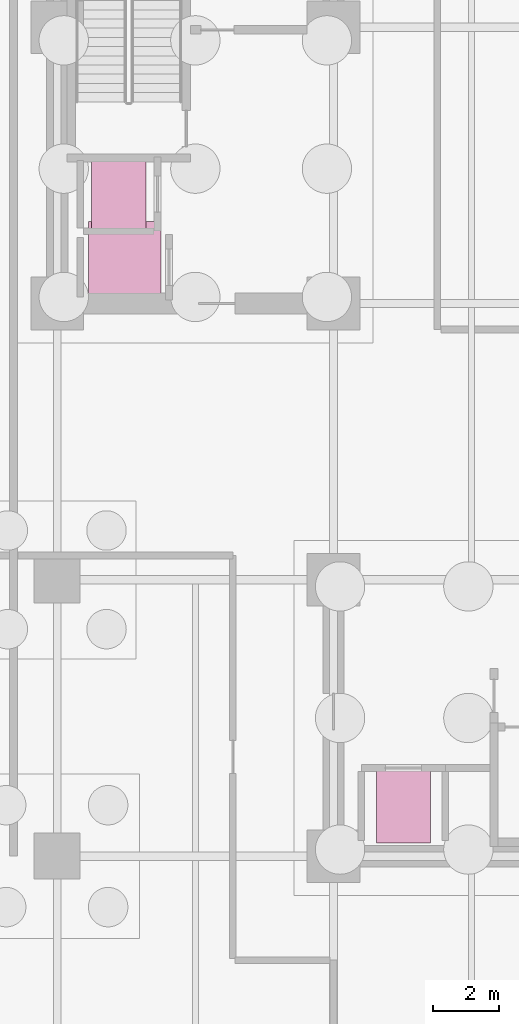
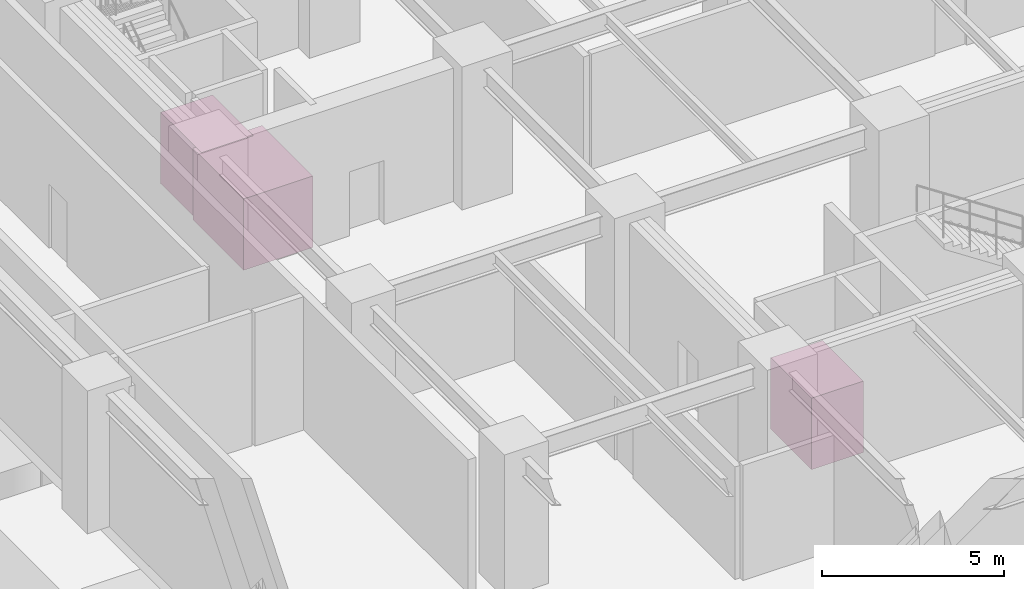
# One storey, part 9 of 9: 3 transport elements.
"""IFC4 building model written with IfcOpenShell, lengths in metres."""

import ifcopenshell
import ifcopenshell.guid

model = None  # the IFC model being written
_history = None  # IfcOwnerHistory: only IFC2X3 demands one
_inside = {}  # id of a spatial element -> (the spatial element, [elements in it])
_under = {}  # id of a project, library or spatial element -> (it, [spatial elements below it])
_declared = {}  # id of a project -> (the project, [libraries it declares])
_typed = {}  # id of a type object -> (the type object, [elements of that type])
_made_of = {}  # id of a material, layer set ... -> (it, [elements and type objects made of it])


def new_model(schema):
    """Start an empty IFC model of exactly this schema.

    Asked for "IFC4X3", IfcOpenShell would pick the latest addendum, in which some entities
    have other attributes; the version numbers below select the first issue.
    IFC2X3 requires an IfcOwnerHistory on every rooted entity: one is made here for all.
    """
    global model, _history
    if schema == "IFC4X3":
        model = ifcopenshell.file(schema_version=(4, 3, 0, 0))
    else:
        model = ifcopenshell.file(schema=schema)
    _inside.clear()
    _under.clear()
    _declared.clear()
    _typed.clear()
    _made_of.clear()
    _history = None
    if model.schema == "IFC2X3":
        org = make("IfcOrganization", Name="unknown")
        user = make(
            "IfcPersonAndOrganization",
            ThePerson=make("IfcPerson", FamilyName="unknown"),
            TheOrganization=org,
        )
        app = make(
            "IfcApplication",
            ApplicationDeveloper=org,
            Version="unknown",
            ApplicationFullName="unknown",
            ApplicationIdentifier="unknown",
        )
        _history = make(
            "IfcOwnerHistory",
            OwningUser=user,
            OwningApplication=app,
            ChangeAction="ADDED",
            CreationDate=0,
        )
    return model


def make(cls, **values):
    """One entity of the class cls with the attributes given. An attribute that is None is left unset."""
    return model.create_entity(
        cls, **{name: value for name, value in values.items() if value is not None}
    )


def rooted(cls, **values):
    """An entity with a GlobalId (a new one), such as an element, a storey or a relation."""
    return make(cls, GlobalId=ifcopenshell.guid.new(), OwnerHistory=_history, **values)


def si_unit(unit_type, name, prefix=None):
    """IfcSIUnit, for example si_unit("LENGTHUNIT", "METRE", prefix="MILLI")."""
    return make("IfcSIUnit", UnitType=unit_type, Prefix=prefix, Name=name)


def assignment(units):
    """IfcUnitAssignment: the units of a project."""
    return None if units is None else make("IfcUnitAssignment", Units=units)


def point(xyz):
    """IfcCartesianPoint."""
    return None if xyz is None else make("IfcCartesianPoint", Coordinates=xyz)


def direction(xyz):
    """IfcDirection."""
    return None if xyz is None else make("IfcDirection", DirectionRatios=xyz)


def frame(location, z_axis=None, x_axis=None):
    """IfcAxis2Placement3D, a coordinate frame: its origin and axes. An axis left out is left unset."""
    return make(
        "IfcAxis2Placement3D",
        Location=point(location),
        Axis=direction(z_axis),
        RefDirection=direction(x_axis),
    )


def frame_2d(location, x_axis=None):
    """IfcAxis2Placement2D, a coordinate frame in the plane: its origin and x axis."""
    return make(
        "IfcAxis2Placement2D", Location=point(location), RefDirection=direction(x_axis)
    )


def origin():
    """The frame at (0, 0, 0) with its axes left unset."""
    return frame((0.0, 0.0, 0.0))


def origin_2d():
    """The frame at (0, 0) in the plane with its x axis left unset."""
    return frame_2d((0.0, 0.0))


def place(relative_to, where):
    """IfcLocalPlacement: puts the frame where relative to a parent placement (None: the world)."""
    return make(
        "IfcLocalPlacement", PlacementRelTo=relative_to, RelativePlacement=where
    )


def context(
    kind, dimensions, precision=None, world=None, true_north=None, identifier=None
):
    """IfcGeometricRepresentationContext, for example the 3D "Model" context."""
    return make(
        "IfcGeometricRepresentationContext",
        ContextIdentifier=identifier,
        ContextType=kind,
        CoordinateSpaceDimension=dimensions,
        Precision=precision,
        WorldCoordinateSystem=world,
        TrueNorth=true_north,
    )


def subcontext(parent, identifier, kind, view, scale=None):
    """IfcGeometricRepresentationSubContext, for example "Body" below "Model"."""
    return make(
        "IfcGeometricRepresentationSubContext",
        ContextIdentifier=identifier,
        ContextType=kind,
        ParentContext=parent,
        TargetScale=scale,
        TargetView=view,
    )


def project(units=None, contexts=None):
    """IfcProject with its units and contexts."""
    return rooted(
        "IfcProject",
        Name="project",
        RepresentationContexts=contexts,
        UnitsInContext=assignment(units),
    )


def spatial(cls, under=None, at=None, **own):
    """A site, building, storey or space (cls), placed at a placement, below another one or the project."""
    s = rooted(cls, ObjectPlacement=at, **own)
    if under is not None:
        _under.setdefault(under.id(), (under, []))[1].append(s)
    return s


def profile(cls, at=None, kind="AREA", **sizes):
    """A parametric profile (cls). Its sizes go by their IFC names, for example OverallWidth=200.0."""
    return make(cls, ProfileType=kind, Position=at, **sizes)


def rectangle(**sizes):
    """IfcRectangleProfileDef."""
    return profile("IfcRectangleProfileDef", **sizes)


def extrude(swept, where, along, depth):
    """IfcExtrudedAreaSolid: the profile swept, set in the frame where, extruded along a direction by depth."""
    return make(
        "IfcExtrudedAreaSolid",
        SweptArea=swept,
        Position=where,
        ExtrudedDirection=direction(along),
        Depth=depth,
    )


def shape(context_of_items, identifier, shape_type, items):
    """IfcShapeRepresentation: the items that make up one representation, for example the "Body"."""
    return make(
        "IfcShapeRepresentation",
        ContextOfItems=context_of_items,
        RepresentationIdentifier=identifier,
        RepresentationType=shape_type,
        Items=items,
    )


def material(Name=None, Category=None):
    """IfcMaterial."""
    return make("IfcMaterial", Name=Name, Category=Category)


def made_of(thing, what):
    """Note that an element or type object is made of a material, layer set ...; save() writes the relation."""
    if what is not None:
        _made_of.setdefault(what.id(), (what, []))[1].append(thing)
    return thing


def type_object(cls, material=None, **own):
    """A type object (cls), such as IfcWallType, which elements share."""
    return made_of(rooted(cls, **own), material)


def element(
    cls,
    number,
    at=None,
    inside=None,
    cuts=None,
    type_object=None,
    material=None,
    context=None,
    identifier="Body",
    shape_type=None,
    held_by="IfcProductDefinitionShape",
    body=None,
    shapes=None,
    **own,
):
    """One element of the class cls, such as IfcWall. Its Tag is "e" and its number.

    at: its placement. inside: the storey or other place that contains it. cuts: it is an
    opening in that element (IfcRelVoidsElement). A single representation is given by context,
    identifier, shape_type and body (its items); several are given by shapes. held_by: the class
    of the entity that holds the representations. save() writes the other relations.
    """
    e = rooted(cls, Tag="e%d" % number, ObjectPlacement=at, **own)
    if body is not None:
        shapes = [shape(context, identifier, shape_type, body)]
    if shapes is not None:
        e.Representation = make(held_by, Representations=shapes)
    if inside is not None:
        _inside.setdefault(inside.id(), (inside, []))[1].append(e)
    if cuts is not None:
        rooted(
            "IfcRelVoidsElement", RelatingBuildingElement=cuts, RelatedOpeningElement=e
        )
    if type_object is not None:
        _typed.setdefault(type_object.id(), (type_object, []))[1].append(e)
    return made_of(e, material)


def aggregate(whole, parts):
    """IfcRelAggregates: a whole, such as a stair, and the parts it consists of."""
    return rooted("IfcRelAggregates", RelatingObject=whole, RelatedObjects=parts)


def save(model, path):
    """Write the relations noted so far, then the file.

    IfcRelAggregates (storeys below a building ...), IfcRelContainedInSpatialStructure (elements
    in a storey), IfcRelDefinesByType, IfcRelAssociatesMaterial and IfcRelDeclares: one each for
    every whole, place, type object, material and project.
    """
    for whole, parts in _under.values():
        aggregate(whole, parts)
    for where, things in _inside.values():
        rooted(
            "IfcRelContainedInSpatialStructure",
            RelatedElements=things,
            RelatingStructure=where,
        )
    for kind, things in _typed.values():
        rooted("IfcRelDefinesByType", RelatedObjects=things, RelatingType=kind)
    for what, things in _made_of.values():
        rooted("IfcRelAssociatesMaterial", RelatedObjects=things, RelatingMaterial=what)
    for by, libraries in _declared.values():
        rooted("IfcRelDeclares", RelatingContext=by, RelatedDefinitions=libraries)
    model.write(path)


model = new_model("IFC4")

# Units and contexts
model_context = context("Model", 3, precision=1e-05, world=origin(), true_north=direction((0.0, 1.0)))
body_context = subcontext(model_context, "Body", "Model", "MODEL_VIEW")
ifc_project = project(units=[si_unit("LENGTHUNIT", "METRE"), si_unit("AREAUNIT", "SQUARE_METRE"), si_unit("VOLUMEUNIT", "CUBIC_METRE"), si_unit("PLANEANGLEUNIT", "RADIAN"), si_unit("MASSUNIT", "GRAM", prefix="KILO")], contexts=[model_context])

# Site, building, storey
site_placement = place(None, origin())
site = spatial("IfcSite", under=ifc_project, at=site_placement, CompositionType="ELEMENT")
building_placement = place(site_placement, origin())
building = spatial("IfcBuilding", under=site, at=building_placement, Name="Nerrivon Quay Data Exchange", CompositionType="ELEMENT")
storey_placement = place(building_placement, frame((0.0, 0.0, -9.60009765625)))
storey = spatial("IfcBuildingStorey", under=building, at=storey_placement, Name="B02", CompositionType="ELEMENT", Elevation=-9.60009765625)

# Transport elements
ifc_material = material(Name="Powder-coated galvanized steel sheet", Category="steel")
transport_element_type_1 = type_object("IfcTransportElementType", Name="LIFT-FF-2000", PredefinedType="ELEVATOR", material=ifc_material)
for number, where, z_axis, x_axis, name in (
    (1, (10.27490234375, 28.52490234375, 0.000244140625), (0.0, 0.0, 1.0), (1.0, 0.0, 0.0), "Firefighting Lift FFL-1"),
    (2, (18.925048828125, 9.929931640625, 0.000244140625), (0.0, 0.0, 1.0), (1.0, 0.0, 0.0), "Firefighting Lift FFL-2"),
):
    element("IfcTransportElement", number, at=place(storey_placement, frame(where, z_axis=z_axis, x_axis=x_axis)), inside=storey, type_object=transport_element_type_1, Name=name, PredefinedType="ELEVATOR", context=body_context, shape_type="SweptSolid", body=[
        extrude(rectangle(XDim=1.64990234375, YDim=2.25, at=origin_2d()), origin(), (0.0, 0.0, 1.0), 2.39990234375),
    ])
transport_element_type_2 = type_object("IfcTransportElementType", Name="LIFT-GOODS-4000", PredefinedType="ELEVATOR", material=ifc_material)
transport_element_placement = place(storey_placement, frame((10.449951171875, 26.300048828125, 0.000244140625), z_axis=(0.0, 0.0, 1.0), x_axis=(1.0, 0.0, 0.0)))
element("IfcTransportElement", 3, at=transport_element_placement, inside=storey, type_object=transport_element_type_2, Name="Service Goods Lift SVL-1", PredefinedType="ELEVATOR", context=body_context, shape_type="SweptSolid", body=[
    extrude(rectangle(XDim=2.199951171875, YDim=2.800048828125, at=origin_2d()), origin(), (0.0, 0.0, 1.0), 2.39990234375),
])

save(model, "model.ifc")
